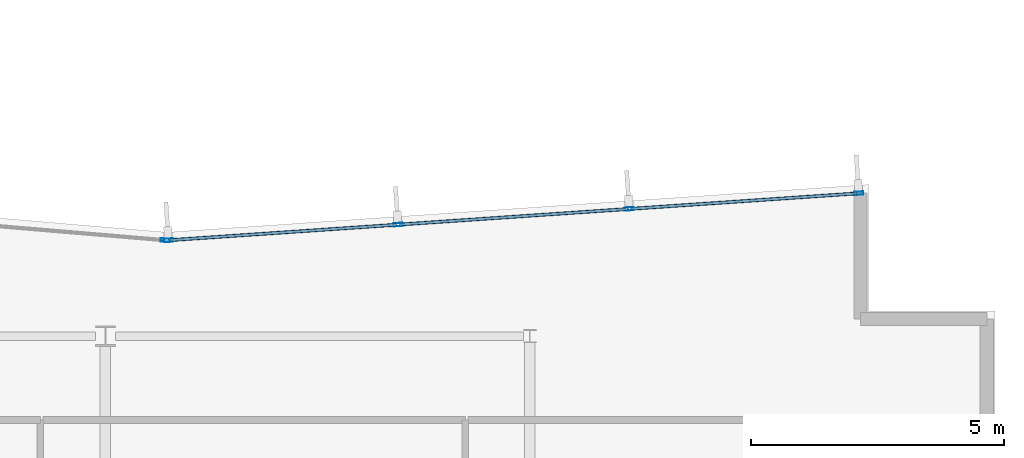
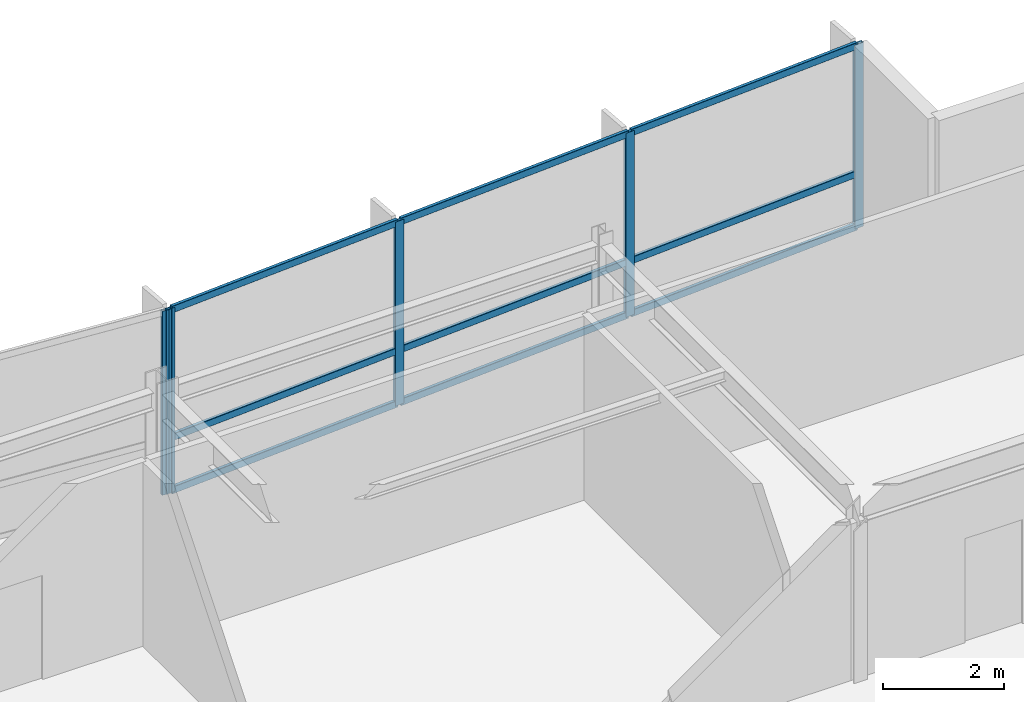
# One storey, part 7 of 14: 14 members, 2 elements without a shape of their own.
"""IFC4 building model written with IfcOpenShell, lengths in metres."""

from ifc_helpers import new_model, si_unit, direction, frame, origin, origin_2d, place, context, subcontext, project, spatial, hollow_rectangle, extrude, material, layer, layer_set, material_profile, profile_set, type_object, element, aggregate, save


model = new_model("IFC4")

# Units and contexts
model_context = context("Model", 3, precision=1e-05, world=origin(), true_north=direction((0.0, 1.0)))
body_context = subcontext(model_context, "Body", "Model", "MODEL_VIEW")
ifc_project = project(units=[si_unit("LENGTHUNIT", "METRE"), si_unit("AREAUNIT", "SQUARE_METRE"), si_unit("VOLUMEUNIT", "CUBIC_METRE"), si_unit("PLANEANGLEUNIT", "RADIAN"), si_unit("MASSUNIT", "GRAM", prefix="KILO")], contexts=[model_context])

# Site, building, storey
site_placement = place(None, origin())
site = spatial("IfcSite", under=ifc_project, at=site_placement, CompositionType="ELEMENT")
building_placement = place(site_placement, origin())
building = spatial("IfcBuilding", under=site, at=building_placement, Name="Varnakote Quay Hospital", CompositionType="ELEMENT")
storey_placement = place(building_placement, frame((0.0, 0.0, 215.800048828125)))
storey = spatial("IfcBuildingStorey", under=building, at=storey_placement, Name="L53", CompositionType="ELEMENT", Elevation=215.800048828125)

# Curtain wall, members
ifc_material_1 = material(Name="Anodised aluminium 6063-T6 Bronze", Category="aluminium")
ifc_layer = layer(ifc_material_1, 0.219970703125)
ifc_layer_set = layer_set([ifc_layer], Name="Anodised aluminium 6063-T6 Bronze")
curtain_wall_type = type_object("IfcCurtainWallType", Name="CW-SYS-4", PredefinedType="NOTDEFINED", material=ifc_layer_set)
curtain_wall_1_placement = place(storey_placement, origin())
curtain_wall_1 = element("IfcCurtainWall", 1, at=curtain_wall_1_placement, inside=storey, type_object=curtain_wall_type, Name="L53 Unitised Bronze Curtain Wall 1", PredefinedType="NOTDEFINED")
ifc_material_2 = material(Name="Anodised aluminium 6063-T6 Bronze", Category="aluminium")
ifc_material_profile_1 = material_profile(ifc_material_2, hollow_rectangle(XDim=0.06494140625, YDim=0.179931640625, WallThickness=0.00390625, InnerFilletRadius=0.00390625, OuterFilletRadius=0.008056640625, at=origin_2d()), Name="CW-MULL-180x65")
ifc_profile_set_1 = profile_set([ifc_material_profile_1], Name="Anodised aluminium 6063-T6 Bronze")
member_type_1 = type_object("IfcMemberType", Name="CW-MULL-180x65", PredefinedType="MULLION", material=ifc_profile_set_1)
member_1_placement = place(storey_placement, frame((48.507568359375, 31.626708984375, 0.0), z_axis=(0.0, 0.0, 1.0), x_axis=(0.067841851077, -0.997696087615, 0.0)))
member_1 = element("IfcMember", 2, at=member_1_placement, type_object=member_type_1, Name="-4-L53-1 mullion 1", PredefinedType="MULLION", context=body_context, shape_type="SweptSolid", body=[
    extrude(hollow_rectangle(XDim=0.06494140625, YDim=0.179931640625, WallThickness=0.00390625, InnerFilletRadius=0.00390625, OuterFilletRadius=0.008056640625, at=origin_2d()), origin(), (0.0, 0.0, 1.0), 3.7099609375),
])
member_2_placement = place(storey_placement, frame((43.96484375, 31.317626953125, 0.0), z_axis=(0.0, 0.0, 1.0), x_axis=(0.067841851077, -0.997696087615, 0.0)))
member_2 = element("IfcMember", 3, at=member_2_placement, type_object=member_type_1, Name="-4-L53-1 mullion 2", PredefinedType="MULLION", context=body_context, shape_type="SweptSolid", body=[
    extrude(hollow_rectangle(XDim=0.06494140625, YDim=0.179931640625, WallThickness=0.00390625, InnerFilletRadius=0.00390625, OuterFilletRadius=0.008056640625, at=origin_2d()), origin(), (0.0, 0.0, 1.0), 3.7099609375),
])
member_3_placement = place(storey_placement, frame((39.389892578125, 31.006591796875, 0.0), z_axis=(0.0, 0.0, 1.0), x_axis=(0.067841851077, -0.997696087615, 0.0)))
member_3 = element("IfcMember", 4, at=member_3_placement, type_object=member_type_1, Name="-4-L53-1 mullion 3", PredefinedType="MULLION", context=body_context, shape_type="SweptSolid", body=[
    extrude(hollow_rectangle(XDim=0.06494140625, YDim=0.179931640625, WallThickness=0.00390625, InnerFilletRadius=0.00390625, OuterFilletRadius=0.008056640625, at=origin_2d()), origin(), (0.0, 0.0, 1.0), 3.7099609375),
])
member_4_placement = place(storey_placement, frame((34.84716796875, 30.69775390625, 0.0), z_axis=(0.0, 0.0, 1.0), x_axis=(0.067841851077, -0.997696087615, 0.0)))
member_4 = element("IfcMember", 5, at=member_4_placement, type_object=member_type_1, Name="-4-L53-1 mullion 4", PredefinedType="MULLION", context=body_context, shape_type="SweptSolid", body=[
    extrude(hollow_rectangle(XDim=0.06494140625, YDim=0.179931640625, WallThickness=0.00390625, InnerFilletRadius=0.00390625, OuterFilletRadius=0.008056640625, at=origin_2d()), origin(), (0.0, 0.0, 1.0), 3.7099609375),
])

# Curtain wall, member
curtain_wall_2_placement = place(storey_placement, origin())
curtain_wall_2 = element("IfcCurtainWall", 6, at=curtain_wall_2_placement, inside=storey, type_object=curtain_wall_type, Name="L53 Unitised Bronze Curtain Wall 2", PredefinedType="NOTDEFINED")
member_5_placement = place(storey_placement, frame((34.7822265625, 30.6982421875, 0.0), z_axis=(0.0, 0.0, 1.0), x_axis=(-0.084136040089, -0.996454277304, 0.0)))
member_5 = element("IfcMember", 7, at=member_5_placement, type_object=member_type_1, Name="-4-L53-2 mullion 1", PredefinedType="MULLION", context=body_context, shape_type="SweptSolid", body=[
    extrude(hollow_rectangle(XDim=0.06494140625, YDim=0.179931640625, WallThickness=0.00390625, InnerFilletRadius=0.00390625, OuterFilletRadius=0.008056640625, at=origin_2d()), origin(), (0.0, 0.0, 1.0), 3.7099609375),
])
aggregate(curtain_wall_2, [member_5])

# Member
ifc_material_3 = material(Name="Anodised aluminium 6063-T6 Bronze", Category="aluminium")
ifc_material_profile_2 = material_profile(ifc_material_3, hollow_rectangle(XDim=0.06494140625, YDim=0.139892578125, WallThickness=0.00390625, InnerFilletRadius=0.00390625, OuterFilletRadius=0.007568359375, at=origin_2d()), Name="CW-TRAN-140x65")
ifc_profile_set_2 = profile_set([ifc_material_profile_2], Name="Anodised aluminium 6063-T6 Bronze")
member_type_2 = type_object("IfcMemberType", Name="CW-TRAN-140x65", PredefinedType="USERDEFINED", material=ifc_profile_set_2)
member_6_placement = place(storey_placement, frame((48.47509765625, 31.62451171875, 0.032470703125), z_axis=(-0.997692996523, -0.067887294022, 0.0), x_axis=(0.067887294022, -0.997692996523, 0.0)))
member_6 = element("IfcMember", 8, at=member_6_placement, type_object=member_type_2, Name="-4-L53-1 transom 1.1", ObjectType="TRANSOM", PredefinedType="USERDEFINED", context=body_context, shape_type="SweptSolid", body=[
    extrude(hollow_rectangle(XDim=0.06494140625, YDim=0.139892578125, WallThickness=0.00390625, InnerFilletRadius=0.00390625, OuterFilletRadius=0.007568359375, at=origin_2d()), origin(), (0.0, 0.0, 1.0), 4.488037109375),
])

member_7_placement = place(storey_placement, frame((48.47509765625, 31.62451171875, 1.099853515625), z_axis=(-0.997692996523, -0.067887294022, 0.0), x_axis=(0.067887294022, -0.997692996523, 0.0)))
member_7 = element("IfcMember", 9, at=member_7_placement, type_object=member_type_2, Name="-4-L53-1 transom 1.2", ObjectType="TRANSOM", PredefinedType="USERDEFINED", context=body_context, shape_type="SweptSolid", body=[
    extrude(hollow_rectangle(XDim=0.06494140625, YDim=0.139892578125, WallThickness=0.00390625, InnerFilletRadius=0.00390625, OuterFilletRadius=0.007568359375, at=origin_2d()), origin(), (0.0, 0.0, 1.0), 4.488037109375),
])

member_8_placement = place(storey_placement, frame((48.47509765625, 31.62451171875, 3.677490234375), z_axis=(-0.997692996523, -0.067887294022, 0.0), x_axis=(0.067887294022, -0.997692996523, 0.0)))
member_8 = element("IfcMember", 10, at=member_8_placement, type_object=member_type_2, Name="-4-L53-1 transom 1.3", ObjectType="TRANSOM", PredefinedType="USERDEFINED", context=body_context, shape_type="SweptSolid", body=[
    extrude(hollow_rectangle(XDim=0.06494140625, YDim=0.139892578125, WallThickness=0.00390625, InnerFilletRadius=0.00390625, OuterFilletRadius=0.007568359375, at=origin_2d()), origin(), (0.0, 0.0, 1.0), 4.488037109375),
])

member_9_placement = place(storey_placement, frame((43.932373046875, 31.3154296875, 0.032470703125), z_axis=(-0.997696835235, -0.06783085553, 0.0), x_axis=(0.06783085553, -0.997696835235, 0.0)))
member_9 = element("IfcMember", 11, at=member_9_placement, type_object=member_type_2, Name="-4-L53-1 transom 2.1", ObjectType="TRANSOM", PredefinedType="USERDEFINED", context=body_context, shape_type="SweptSolid", body=[
    extrude(hollow_rectangle(XDim=0.06494140625, YDim=0.139892578125, WallThickness=0.00390625, InnerFilletRadius=0.00390625, OuterFilletRadius=0.007568359375, at=origin_2d()), origin(), (0.0, 0.0, 1.0), 4.520751953125),
])

member_10_placement = place(storey_placement, frame((43.932373046875, 31.3154296875, 1.099853515625), z_axis=(-0.997696835235, -0.06783085553, 0.0), x_axis=(0.06783085553, -0.997696835235, 0.0)))
member_10 = element("IfcMember", 12, at=member_10_placement, type_object=member_type_2, Name="-4-L53-1 transom 2.2", ObjectType="TRANSOM", PredefinedType="USERDEFINED", context=body_context, shape_type="SweptSolid", body=[
    extrude(hollow_rectangle(XDim=0.06494140625, YDim=0.139892578125, WallThickness=0.00390625, InnerFilletRadius=0.00390625, OuterFilletRadius=0.007568359375, at=origin_2d()), origin(), (0.0, 0.0, 1.0), 4.520751953125),
])

member_11_placement = place(storey_placement, frame((43.932373046875, 31.3154296875, 3.677490234375), z_axis=(-0.997696835235, -0.06783085553, 0.0), x_axis=(0.06783085553, -0.997696835235, 0.0)))
member_11 = element("IfcMember", 13, at=member_11_placement, type_object=member_type_2, Name="-4-L53-1 transom 2.3", ObjectType="TRANSOM", PredefinedType="USERDEFINED", context=body_context, shape_type="SweptSolid", body=[
    extrude(hollow_rectangle(XDim=0.06494140625, YDim=0.139892578125, WallThickness=0.00390625, InnerFilletRadius=0.00390625, OuterFilletRadius=0.007568359375, at=origin_2d()), origin(), (0.0, 0.0, 1.0), 4.520751953125),
])

member_12_placement = place(storey_placement, frame((39.357421875, 31.00439453125, 0.032470703125), z_axis=(-0.997696679404, -0.06783314755, 0.0), x_axis=(0.06783314755, -0.997696679404, 0.0)))
member_12 = element("IfcMember", 14, at=member_12_placement, type_object=member_type_2, Name="-4-L53-1 transom 3.1", ObjectType="TRANSOM", PredefinedType="USERDEFINED", context=body_context, shape_type="SweptSolid", body=[
    extrude(hollow_rectangle(XDim=0.06494140625, YDim=0.139892578125, WallThickness=0.00390625, InnerFilletRadius=0.00390625, OuterFilletRadius=0.007568359375, at=origin_2d()), origin(), (0.0, 0.0, 1.0), 4.488037109375),
])

member_13_placement = place(storey_placement, frame((39.357421875, 31.00439453125, 1.099853515625), z_axis=(-0.997696679404, -0.06783314755, 0.0), x_axis=(0.06783314755, -0.997696679404, 0.0)))
member_13 = element("IfcMember", 15, at=member_13_placement, type_object=member_type_2, Name="-4-L53-1 transom 3.2", ObjectType="TRANSOM", PredefinedType="USERDEFINED", context=body_context, shape_type="SweptSolid", body=[
    extrude(hollow_rectangle(XDim=0.06494140625, YDim=0.139892578125, WallThickness=0.00390625, InnerFilletRadius=0.00390625, OuterFilletRadius=0.007568359375, at=origin_2d()), origin(), (0.0, 0.0, 1.0), 4.488037109375),
])

member_14_placement = place(storey_placement, frame((39.357421875, 31.00439453125, 3.677490234375), z_axis=(-0.997696679404, -0.06783314755, 0.0), x_axis=(0.06783314755, -0.997696679404, 0.0)))
member_14 = element("IfcMember", 16, at=member_14_placement, type_object=member_type_2, Name="-4-L53-1 transom 3.3", ObjectType="TRANSOM", PredefinedType="USERDEFINED", context=body_context, shape_type="SweptSolid", body=[
    extrude(hollow_rectangle(XDim=0.06494140625, YDim=0.139892578125, WallThickness=0.00390625, InnerFilletRadius=0.00390625, OuterFilletRadius=0.007568359375, at=origin_2d()), origin(), (0.0, 0.0, 1.0), 4.488037109375),
])

aggregate(curtain_wall_1, [member_1, member_2, member_3, member_4, member_6, member_7, member_8, member_9, member_10, member_11, member_12, member_13, member_14])

save(model, "model.ifc")
